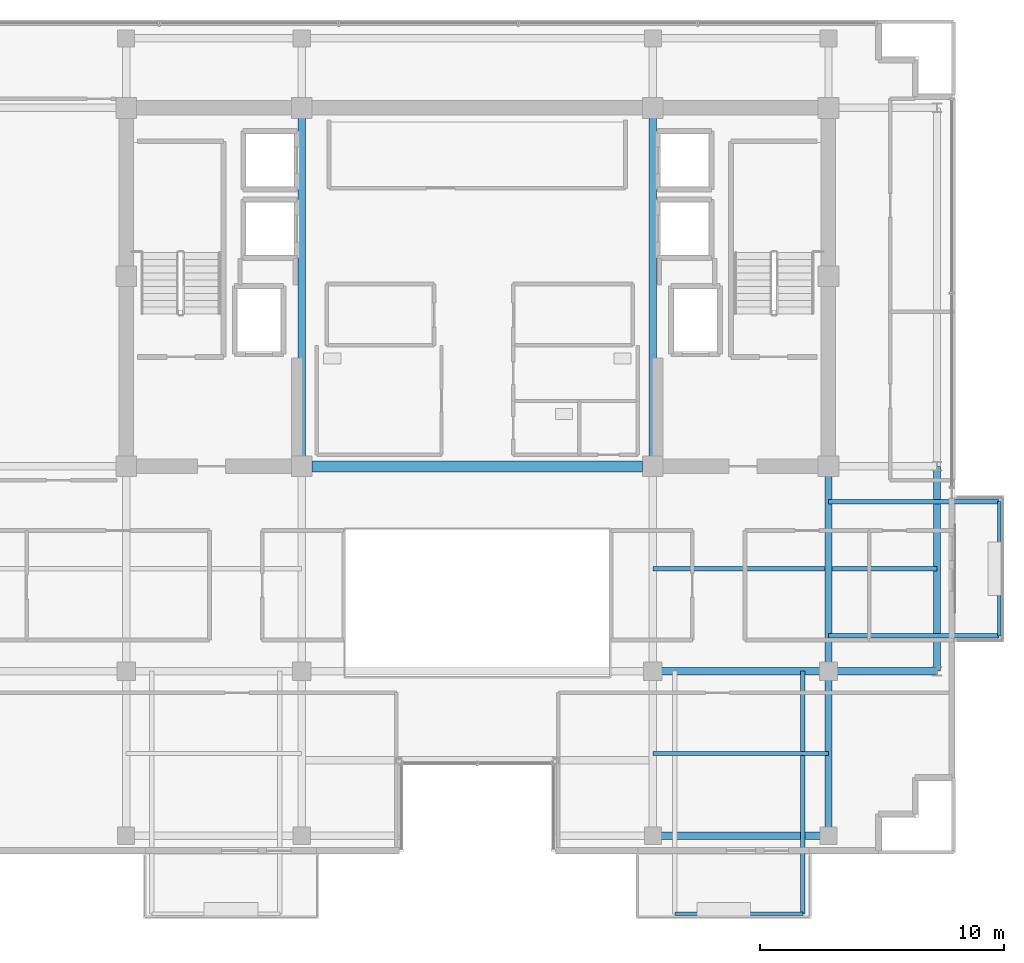
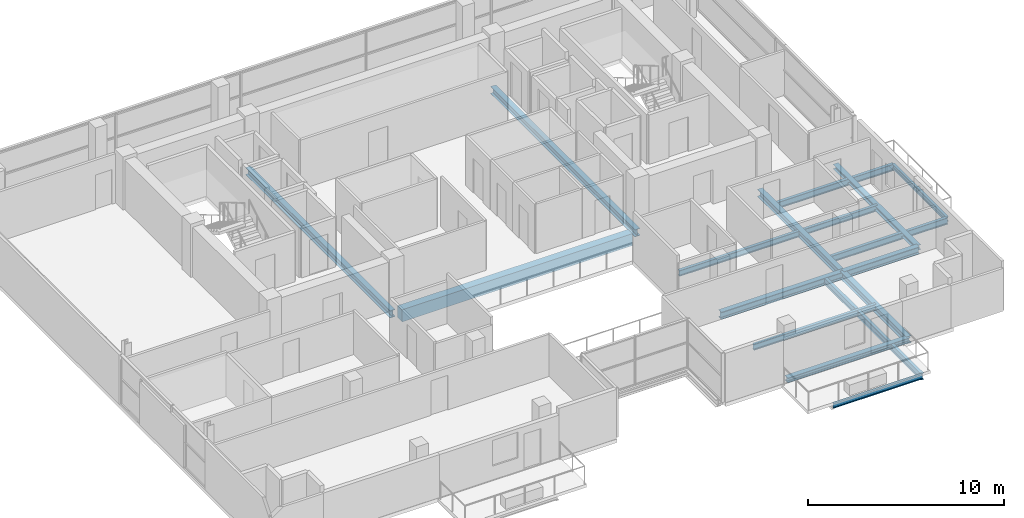
# One storey, part 10 of 23: 17 beams.
"""IFC4 building model written with IfcOpenShell, lengths in metres."""

from ifc_helpers import new_model, si_unit, direction, frame, origin, origin_2d, place, context, subcontext, project, spatial, rectangle, i_section, extrude, material, material_profile, profile_set, type_object, element, save


model = new_model("IFC4")

# Units and contexts
model_context = context("Model", 3, precision=1e-05, world=origin(), true_north=direction((0.0, 1.0)))
body_context = subcontext(model_context, "Body", "Model", "MODEL_VIEW")
ifc_project = project(units=[si_unit("LENGTHUNIT", "METRE"), si_unit("AREAUNIT", "SQUARE_METRE"), si_unit("VOLUMEUNIT", "CUBIC_METRE"), si_unit("PLANEANGLEUNIT", "RADIAN"), si_unit("MASSUNIT", "GRAM", prefix="KILO")], contexts=[model_context])

# Site, building, storey
site_placement = place(None, origin())
site = spatial("IfcSite", under=ifc_project, at=site_placement, CompositionType="ELEMENT")
building_placement = place(site_placement, origin())
building = spatial("IfcBuilding", under=site, at=building_placement, Name="Zarnakvel Exchange Tower", CompositionType="ELEMENT")
storey_placement = place(building_placement, frame((0.0, 0.0, 212.199951171875)))
storey = spatial("IfcBuildingStorey", under=building, at=storey_placement, Name="L59", CompositionType="ELEMENT", Elevation=212.199951171875)

# Beams
ifc_material_1 = material(Name="Steel S355", Category="steel")
ifc_material_profile_1 = material_profile(ifc_material_1, i_section(OverallWidth=0.179931640625, OverallDepth=0.39990234375, WebThickness=0.008544921875, FlangeThickness=0.013427734375, FilletRadius=0.02099609375, at=origin_2d()))
ifc_profile_set_1 = profile_set([ifc_material_profile_1], Name="Steel S355")
beam_type_1 = type_object("IfcBeamType", Name="B-06", PredefinedType="JOIST", material=ifc_profile_set_1)
beam_1_placement = place(storey_placement, frame((13.35009765625, -9.60009765625, -0.425048828125), z_axis=(0.0, -1.0, 0.0), x_axis=(1.0, 0.0, 0.0)))
element("IfcBeam", 1, at=beam_1_placement, inside=storey, type_object=beam_type_1, Name="L59 Continuous Back-Spanned Balcony Beam E", PredefinedType="JOIST", context=body_context, shape_type="SweptSolid", body=[
    extrude(i_section(OverallWidth=0.179931640625, OverallDepth=0.39990234375, WebThickness=0.008544921875, FlangeThickness=0.013427734375, FilletRadius=0.02099609375, at=origin_2d()), origin(), (0.0, 0.0, 1.0), 9.949951171875),
])
for number, where, z_axis, x_axis, name in (
    (2, (14.39990234375, -8.14990234375, -0.425048828125), (1.0, 0.0, 0.0), (0.0, 1.0, 0.0), "L59 Continuous East Loggia Beam S"),
    (3, (14.39990234375, -2.64990234375, -0.425048828125), (1.0, 0.0, 0.0), (0.0, 1.0, 0.0), "L59 Continuous East Loggia Beam N"),
):
    element("IfcBeam", number, at=place(storey_placement, frame(where, z_axis=z_axis, x_axis=x_axis)), inside=storey, type_object=beam_type_1, Name=name, PredefinedType="JOIST", context=body_context, shape_type="SweptSolid", body=[
        extrude(i_section(OverallWidth=0.179931640625, OverallDepth=0.39990234375, WebThickness=0.008544921875, FlangeThickness=0.013427734375, FilletRadius=0.02099609375, at=origin_2d()), origin(), (0.0, 0.0, 1.0), 7.0),
    ])
ifc_material_profile_2 = material_profile(ifc_material_1, i_section(OverallWidth=0.169921875, OverallDepth=0.360107421875, WebThickness=0.008056640625, FlangeThickness=0.0126953125, FilletRadius=0.01806640625, at=origin_2d()))
ifc_profile_set_2 = profile_set([ifc_material_profile_2], Name="Steel S355")
beam_type_2 = type_object("IfcBeamType", Name="B-07", PredefinedType="JOIST", material=ifc_profile_set_2)
beam_2_placement = place(storey_placement, frame((7.199951171875, -12.97509765625, -0.405029296875), z_axis=(1.0, 0.0, 0.0), x_axis=(0.0, 1.0, 0.0)))
element("IfcBeam", 4, at=beam_2_placement, inside=storey, type_object=beam_type_2, Name="L59 Composite Floor Secondary Joist", PredefinedType="JOIST", context=body_context, shape_type="SweptSolid", body=[
    extrude(i_section(OverallWidth=0.169921875, OverallDepth=0.360107421875, WebThickness=0.008056640625, FlangeThickness=0.0126953125, FilletRadius=0.01806640625, at=origin_2d()), origin(), (0.0, 0.0, 1.0), 7.199951171875),
])
beam_3_placement = place(storey_placement, frame((7.199951171875, -5.39990234375, -0.405029296875), z_axis=(1.0, 0.0, 0.0), x_axis=(0.0, 1.0, 0.0)))
element("IfcBeam", 5, at=beam_3_placement, inside=storey, type_object=beam_type_2, Name="L59 Composite Floor Secondary Joist", PredefinedType="JOIST", context=body_context, shape_type="SweptSolid", body=[
    extrude(i_section(OverallWidth=0.169921875, OverallDepth=0.360107421875, WebThickness=0.008056640625, FlangeThickness=0.0126953125, FilletRadius=0.01806640625, at=origin_2d()), origin(), (0.0, 0.0, 1.0), 7.050048828125),
])
beam_4_placement = place(storey_placement, frame((14.550048828125, -5.39990234375, -0.405029296875), z_axis=(1.0, 0.0, 0.0), x_axis=(0.0, 1.0, 0.0)))
element("IfcBeam", 6, at=beam_4_placement, inside=storey, type_object=beam_type_2, Name="L59 Composite Floor Secondary Joist", PredefinedType="JOIST", context=body_context, shape_type="SweptSolid", body=[
    extrude(i_section(OverallWidth=0.169921875, OverallDepth=0.360107421875, WebThickness=0.008056640625, FlangeThickness=0.0126953125, FilletRadius=0.01806640625, at=origin_2d()), origin(), (0.0, 0.0, 1.0), 4.300048828125),
])
ifc_material_profile_3 = material_profile(ifc_material_1, i_section(OverallWidth=0.14990234375, OverallDepth=0.300048828125, WebThickness=0.007080078125, FlangeThickness=0.0107421875, FilletRadius=0.014892578125, at=origin_2d()))
ifc_profile_set_3 = profile_set([ifc_material_profile_3], Name="Steel S355")
beam_type_3 = type_object("IfcBeamType", Name="B-08", PredefinedType="JOIST", material=ifc_profile_set_3)
beam_5_placement = place(storey_placement, frame((8.10009765625, -19.550048828125, -0.375), z_axis=(1.0, 0.0, 0.0), x_axis=(0.0, 1.0, 0.0)))
element("IfcBeam", 7, at=beam_5_placement, inside=storey, type_object=beam_type_3, Name="L59 Balcony Edge Beam", PredefinedType="JOIST", context=body_context, shape_type="SweptSolid", body=[
    extrude(i_section(OverallWidth=0.14990234375, OverallDepth=0.300048828125, WebThickness=0.007080078125, FlangeThickness=0.0107421875, FilletRadius=0.014892578125, at=origin_2d()), origin(), (0.0, 0.0, 1.0), 5.25),
])
beam_6_placement = place(storey_placement, frame((21.39990234375, -8.14990234375, -0.375), z_axis=(0.0, 1.0, 0.0), x_axis=(-1.0, 0.0, 0.0)))
element("IfcBeam", 8, at=beam_6_placement, inside=storey, type_object=beam_type_3, Name="L59 East Loggia Edge Beam", PredefinedType="JOIST", context=body_context, shape_type="SweptSolid", body=[
    extrude(i_section(OverallWidth=0.14990234375, OverallDepth=0.300048828125, WebThickness=0.007080078125, FlangeThickness=0.0107421875, FilletRadius=0.014892578125, at=origin_2d()), origin(), (0.0, 0.0, 1.0), 5.5),
])
ifc_material_2 = material(Name="Concrete C50/60", Category="concrete")
ifc_material_profile_4 = material_profile(ifc_material_2, rectangle(XDim=0.449951171875, YDim=0.75, at=origin_2d()))
ifc_profile_set_4 = profile_set([ifc_material_profile_4], Name="Concrete C50/60")
beam_type_4 = type_object("IfcBeamType", Name="CB-03", PredefinedType="LINTEL", material=ifc_profile_set_4)
beam_7_placement = place(storey_placement, frame((-6.77490234375, -1.199951171875, -0.599853515625), z_axis=(1.0, 0.0, 0.0), x_axis=(0.0, 1.0, 0.0)))
element("IfcBeam", 9, at=beam_7_placement, inside=storey, type_object=beam_type_4, Name="L59 Rear Core South Coupling Beam (CB-03)", PredefinedType="LINTEL", context=body_context, shape_type="SweptSolid", body=[
    extrude(rectangle(XDim=0.449951171875, YDim=0.75, at=origin_2d()), origin(), (0.0, 0.0, 1.0), 13.5498046875),
])
ifc_material_profile_5 = material_profile(ifc_material_1, i_section(OverallWidth=0.300048828125, OverallDepth=0.449951171875, WebThickness=0.013916015625, FlangeThickness=0.02587890625, FilletRadius=0.027099609375, at=origin_2d()))
ifc_profile_set_5 = profile_set([ifc_material_profile_5], Name="Steel S355")
beam_type_5 = type_object("IfcBeamType", Name="G-07", PredefinedType="BEAM", material=ifc_profile_set_5)
beam_8_placement = place(storey_placement, frame((7.199951171875, -9.60009765625, -0.449951171875), z_axis=(1.0, 0.0, 0.0), x_axis=(0.0, 1.0, 0.0)))
element("IfcBeam", 10, at=beam_8_placement, inside=storey, type_object=beam_type_5, Name="L59 Tower E-W Frame Beam", PredefinedType="BEAM", context=body_context, shape_type="SweptSolid", body=[
    extrude(i_section(OverallWidth=0.300048828125, OverallDepth=0.449951171875, WebThickness=0.013916015625, FlangeThickness=0.02587890625, FilletRadius=0.027099609375, at=origin_2d()), origin(), (0.0, 0.0, 1.0), 7.199951171875),
])
beam_9_placement = place(storey_placement, frame((14.39990234375, -9.60009765625, -0.449951171875), z_axis=(1.0, 0.0, 0.0), x_axis=(0.0, 1.0, 0.0)))
element("IfcBeam", 11, at=beam_9_placement, inside=storey, type_object=beam_type_5, Name="L59 Tower E-W Frame Beam", PredefinedType="BEAM", context=body_context, shape_type="SweptSolid", body=[
    extrude(i_section(OverallWidth=0.300048828125, OverallDepth=0.449951171875, WebThickness=0.013916015625, FlangeThickness=0.02587890625, FilletRadius=0.027099609375, at=origin_2d()), origin(), (0.0, 0.0, 1.0), 4.4501953125),
])
for number, where, z_axis, x_axis, name in (
    (12, (-7.199951171875, -1.199951171875, -0.449951171875), (0.0, 1.0, 0.0), (-1.0, 0.0, 0.0), "L59 Tower N-S Frame Beam"),
    (13, (7.199951171875, -1.199951171875, -0.449951171875), (0.0, 1.0, 0.0), (-1.0, 0.0, 0.0), "L59 Tower N-S Frame Beam"),
):
    element("IfcBeam", number, at=place(storey_placement, frame(where, z_axis=z_axis, x_axis=x_axis)), inside=storey, type_object=beam_type_5, Name=name, PredefinedType="BEAM", context=body_context, shape_type="SweptSolid", body=[
        extrude(i_section(OverallWidth=0.300048828125, OverallDepth=0.449951171875, WebThickness=0.013916015625, FlangeThickness=0.02587890625, FilletRadius=0.027099609375, at=origin_2d()), origin(), (0.0, 0.0, 1.0), 14.699951171875),
    ])
beam_10_placement = place(storey_placement, frame((14.39990234375, -16.35009765625, -0.449951171875), z_axis=(0.0, 1.0, 0.0), x_axis=(-1.0, 0.0, 0.0)))
element("IfcBeam", 14, at=beam_10_placement, inside=storey, type_object=beam_type_5, Name="L59 Tower N-S Frame Beam", PredefinedType="BEAM", context=body_context, shape_type="SweptSolid", body=[
    extrude(i_section(OverallWidth=0.300048828125, OverallDepth=0.449951171875, WebThickness=0.013916015625, FlangeThickness=0.02587890625, FilletRadius=0.027099609375, at=origin_2d()), origin(), (0.0, 0.0, 1.0), 6.75),
])
beam_11_placement = place(storey_placement, frame((14.39990234375, -9.60009765625, -0.449951171875), z_axis=(0.0, 1.0, 0.0), x_axis=(-1.0, 0.0, 0.0)))
element("IfcBeam", 15, at=beam_11_placement, inside=storey, type_object=beam_type_5, Name="L59 Tower N-S Frame Beam", PredefinedType="BEAM", context=body_context, shape_type="SweptSolid", body=[
    extrude(i_section(OverallWidth=0.300048828125, OverallDepth=0.449951171875, WebThickness=0.013916015625, FlangeThickness=0.02587890625, FilletRadius=0.027099609375, at=origin_2d()), origin(), (0.0, 0.0, 1.0), 8.400146484375),
])
ifc_material_profile_6 = material_profile(ifc_material_1, i_section(OverallWidth=0.300048828125, OverallDepth=0.300048828125, WebThickness=0.010986328125, FlangeThickness=0.01904296875, FilletRadius=0.027099609375, at=origin_2d()))
ifc_profile_set_6 = profile_set([ifc_material_profile_6], Name="Steel S355")
beam_type_6 = type_object("IfcBeamType", Name="SP-03", PredefinedType="SPANDREL", material=ifc_profile_set_6)
beam_12_placement = place(storey_placement, frame((7.199951171875, -16.35009765625, -0.375), z_axis=(1.0, 0.0, 0.0), x_axis=(0.0, 1.0, 0.0)))
element("IfcBeam", 16, at=beam_12_placement, inside=storey, type_object=beam_type_6, Name="L59 Tower E-W Frame Beam", PredefinedType="SPANDREL", context=body_context, shape_type="SweptSolid", body=[
    extrude(i_section(OverallWidth=0.300048828125, OverallDepth=0.300048828125, WebThickness=0.010986328125, FlangeThickness=0.01904296875, FilletRadius=0.027099609375, at=origin_2d()), origin(), (0.0, 0.0, 1.0), 7.199951171875),
])
beam_13_placement = place(storey_placement, frame((18.85009765625, -9.60009765625, -0.375), z_axis=(0.0, 1.0, 0.0), x_axis=(-1.0, 0.0, 0.0)))
element("IfcBeam", 17, at=beam_13_placement, inside=storey, type_object=beam_type_6, Name="L59 Tower N-S Frame Beam", PredefinedType="SPANDREL", context=body_context, shape_type="SweptSolid", body=[
    extrude(i_section(OverallWidth=0.300048828125, OverallDepth=0.300048828125, WebThickness=0.010986328125, FlangeThickness=0.01904296875, FilletRadius=0.027099609375, at=origin_2d()), origin(), (0.0, 0.0, 1.0), 8.400146484375),
])

save(model, "model.ifc")
